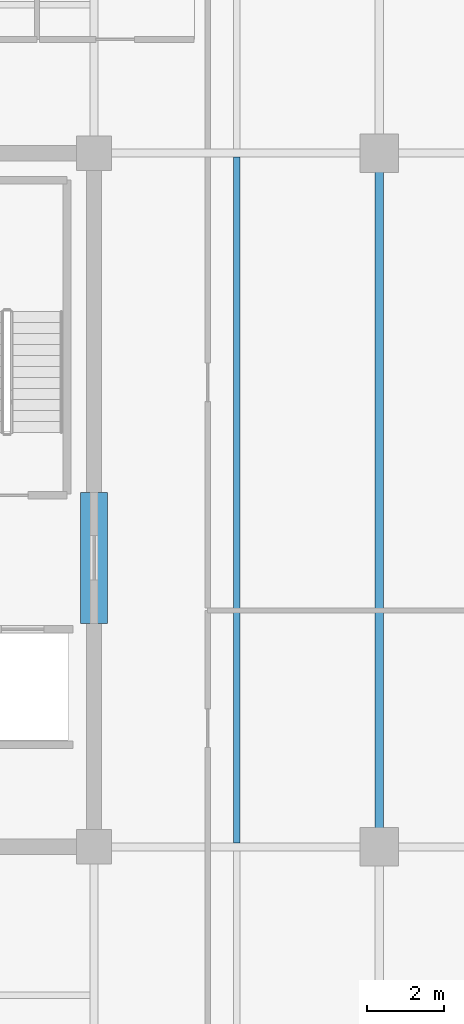
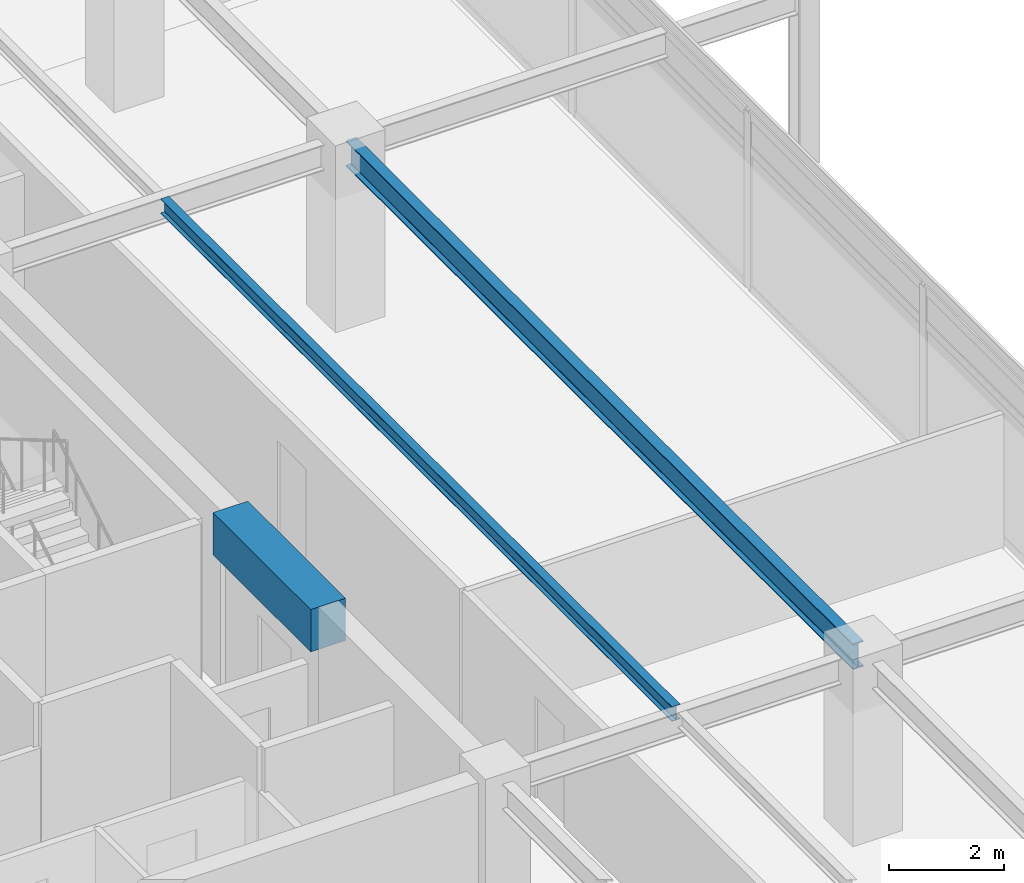
# One storey, part 7 of 21: 3 beams.
"""IFC4 building model written with IfcOpenShell, lengths in metres."""

from ifc_helpers import new_model, si_unit, direction, frame, origin, origin_2d, place, context, subcontext, project, spatial, rectangle, i_section, extrude, material, material_profile, profile_set, type_object, element, save


model = new_model("IFC4")

# Units and contexts
model_context = context("Model", 3, precision=1e-05, world=origin(), true_north=direction((0.0, 1.0)))
body_context = subcontext(model_context, "Body", "Model", "MODEL_VIEW")
ifc_project = project(units=[si_unit("LENGTHUNIT", "METRE"), si_unit("AREAUNIT", "SQUARE_METRE"), si_unit("VOLUMEUNIT", "CUBIC_METRE"), si_unit("PLANEANGLEUNIT", "RADIAN"), si_unit("MASSUNIT", "GRAM", prefix="KILO")], contexts=[model_context])

# Site, building, storey
site_placement = place(None, origin())
site = spatial("IfcSite", under=ifc_project, at=site_placement, CompositionType="ELEMENT")
building_placement = place(site_placement, origin())
building = spatial("IfcBuilding", under=site, at=building_placement, Name="Kovane Verandah Tower", CompositionType="ELEMENT")
storey_placement = place(building_placement, frame((0.0, 0.0, 326.800048828125)))
storey = spatial("IfcBuildingStorey", under=building, at=storey_placement, Name="L76", CompositionType="ELEMENT", Elevation=326.800048828125)

# Beams
ifc_material_1 = material(Name="Concrete C60/75", Category="concrete")
ifc_material_profile_1 = material_profile(ifc_material_1, rectangle(XDim=0.699951171875, YDim=0.89990234375, at=origin_2d()), Name="RCB700x900")
ifc_profile_set_1 = profile_set([ifc_material_profile_1], Name="Concrete C60/75")
beam_type_1 = type_object("IfcBeamType", Name="BM-LINTEL-700x900", PredefinedType="LINTEL", material=ifc_profile_set_1)
beam_1_placement = place(storey_placement, frame((51.0, 24.300048828125, 3.3349609375), z_axis=(0.0, 1.0, 0.0), x_axis=(-1.0, 0.0, 0.0)))
element("IfcBeam", 1, at=beam_1_placement, inside=storey, type_object=beam_type_1, Name="L76 Core Coupling Lintel CL-E", PredefinedType="LINTEL", context=body_context, shape_type="SweptSolid", body=[
    extrude(rectangle(XDim=0.699951171875, YDim=0.89990234375, at=origin_2d()), origin(), (0.0, 0.0, 1.0), 3.39990234375),
])
ifc_material_2 = material(Name="Steel S355", Category="steel")
ifc_material_profile_2 = material_profile(ifc_material_2, i_section(OverallWidth=0.2119140625, OverallDepth=0.54443359375, WebThickness=0.0126953125, FlangeThickness=0.021240234375, FilletRadius=0.0126953125, at=origin_2d()), Name="UB533x210x122")
ifc_profile_set_2 = profile_set([ifc_material_profile_2], Name="Steel S355")
beam_type_2 = type_object("IfcBeamType", Name="BM-UB533x122", PredefinedType="BEAM", material=ifc_profile_set_2)
beam_2_placement = place(storey_placement, frame((58.39990234375, 18.679931640625, 3.5126953125), z_axis=(0.0, 1.0, 0.0), x_axis=(-1.0, 0.0, 0.0)))
element("IfcBeam", 2, at=beam_2_placement, inside=storey, type_object=beam_type_2, Name="L76 Primary Tower Girder G-RE2", PredefinedType="BEAM", context=body_context, shape_type="SweptSolid", body=[
    extrude(i_section(OverallWidth=0.2119140625, OverallDepth=0.54443359375, WebThickness=0.0126953125, FlangeThickness=0.021240234375, FilletRadius=0.0126953125, at=origin_2d()), origin(), (0.0, 0.0, 1.0), 17.64013671875),
])
ifc_material_profile_3 = material_profile(ifc_material_2, i_section(OverallWidth=0.1669921875, OverallDepth=0.310302734375, WebThickness=0.0078125, FlangeThickness=0.013671875, FilletRadius=0.0087890625, at=origin_2d()), Name="UB305x165x54")
ifc_profile_set_3 = profile_set([ifc_material_profile_3], Name="Steel S355")
beam_type_3 = type_object("IfcBeamType", Name="JST-UB305x54", PredefinedType="JOIST", material=ifc_profile_set_3)
beam_3_placement = place(storey_placement, frame((54.699951171875, 18.60400390625, 3.629638671875), z_axis=(0.0, 1.0, 0.0), x_axis=(-1.0, 0.0, 0.0)))
element("IfcBeam", 3, at=beam_3_placement, inside=storey, type_object=beam_type_3, Name="L76 Secondary Composite Joist J-E1", PredefinedType="JOIST", context=body_context, shape_type="SweptSolid", body=[
    extrude(i_section(OverallWidth=0.1669921875, OverallDepth=0.310302734375, WebThickness=0.0078125, FlangeThickness=0.013671875, FilletRadius=0.0087890625, at=origin_2d()), origin(), (0.0, 0.0, 1.0), 17.7919921875),
])

save(model, "model.ifc")
